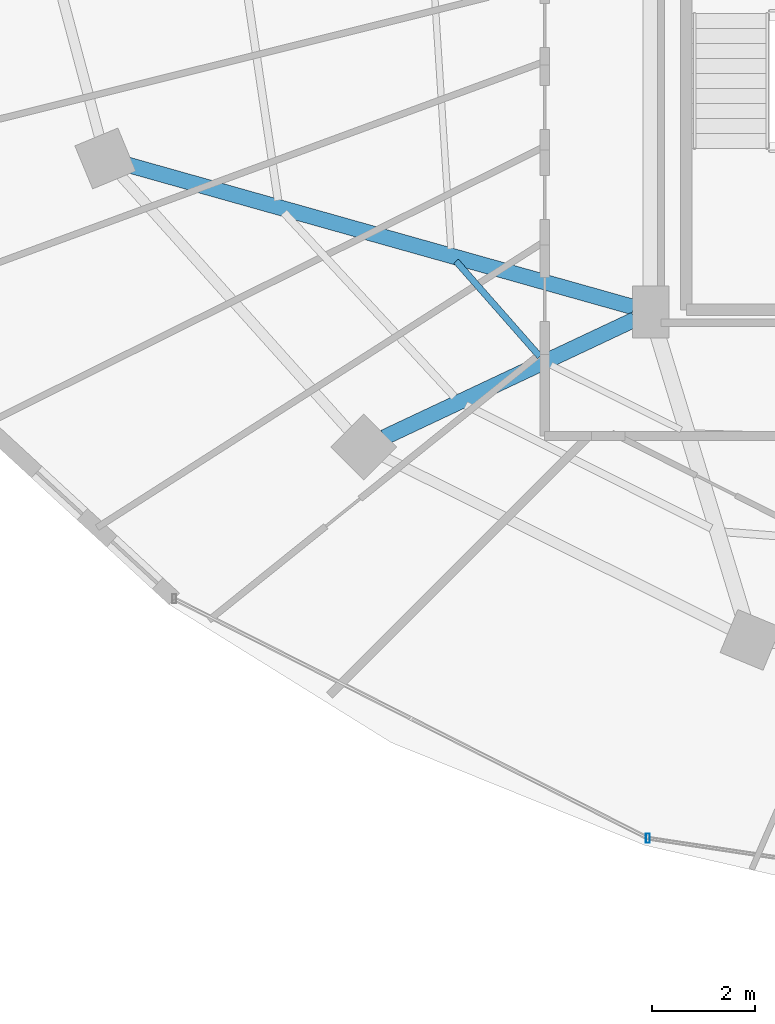
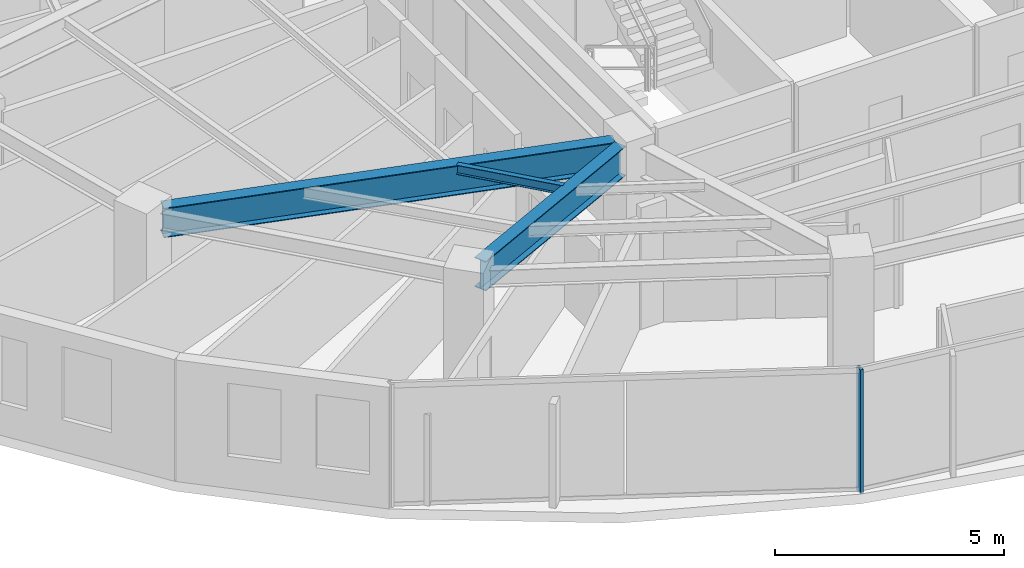
# One storey, part 3 of 33: 3 beams, 1 member, 1 element without a shape of its own.
"""IFC4 building model written with IfcOpenShell, lengths in metres."""

from ifc_helpers import new_model, si_unit, direction, frame, origin, origin_2d, place, context, subcontext, project, spatial, hollow_rectangle, i_section, extrude, material, material_profile, profile_set, type_object, element, aggregate, save


model = new_model("IFC4")

# Units and contexts
model_context = context("Model", 3, precision=1e-05, world=origin(), true_north=direction((0.0, 1.0)))
body_context = subcontext(model_context, "Body", "Model", "MODEL_VIEW")
ifc_project = project(units=[si_unit("LENGTHUNIT", "METRE"), si_unit("AREAUNIT", "SQUARE_METRE"), si_unit("VOLUMEUNIT", "CUBIC_METRE"), si_unit("PLANEANGLEUNIT", "RADIAN"), si_unit("MASSUNIT", "GRAM", prefix="KILO")], contexts=[model_context])

# Site, building, storey
site_placement = place(None, origin())
site = spatial("IfcSite", under=ifc_project, at=site_placement, CompositionType="ELEMENT")
building_placement = place(site_placement, origin())
building = spatial("IfcBuilding", under=site, at=building_placement, Name="Vorneva Point Tower", CompositionType="ELEMENT")
storey_placement = place(building_placement, frame((0.0, 0.0, 196.60009765625)))
storey = spatial("IfcBuildingStorey", under=building, at=storey_placement, Name="L53", CompositionType="ELEMENT", Elevation=196.60009765625)

# Beams
ifc_material_1 = material(Name="Steel S355", Category="steel")
ifc_material_profile_1 = material_profile(ifc_material_1, i_section(OverallWidth=0.300048828125, OverallDepth=0.7880859375, WebThickness=0.014404296875, FlangeThickness=0.02197265625, at=origin_2d()), Name="80Sh1")
ifc_profile_set_1 = profile_set([ifc_material_profile_1], Name="Steel S355")
beam_type_1 = type_object("IfcBeamType", Name="BM-GRD-80Sh1", PredefinedType="USERDEFINED", material=ifc_profile_set_1)
beam_1_placement = place(storey_placement, frame((17.126220703125, 19.299072265625, 2.845947265625), z_axis=(0.962603641144, -0.270913694847, 0.0), x_axis=(0.270913694847, 0.962603641144, 0.0)))
element("IfcBeam", 1, at=beam_1_placement, inside=storey, type_object=beam_type_1, Name="L53 Radial Primary Girder 10", ObjectType="GIRDER", PredefinedType="USERDEFINED", context=body_context, shape_type="SweptSolid", body=[
    extrude(i_section(OverallWidth=0.300048828125, OverallDepth=0.7880859375, WebThickness=0.014404296875, FlangeThickness=0.02197265625, at=origin_2d()), origin(), (0.0, 0.0, 1.0), 10.177001953125),
])
beam_2_placement = place(storey_placement, frame((22.097412109375, 14.0244140625, 2.845947265625), z_axis=(0.904762899762, 0.42591559635, 0.0), x_axis=(-0.42591559635, 0.904762899762, 0.0)))
element("IfcBeam", 2, at=beam_2_placement, inside=storey, type_object=beam_type_1, Name="L53 Radial Primary Girder 11", ObjectType="GIRDER", PredefinedType="USERDEFINED", context=body_context, shape_type="SweptSolid", body=[
    extrude(i_section(OverallWidth=0.300048828125, OverallDepth=0.7880859375, WebThickness=0.014404296875, FlangeThickness=0.02197265625, at=origin_2d()), origin(), (0.0, 0.0, 1.0), 5.35498046875),
])
ifc_material_profile_2 = material_profile(ifc_material_1, i_section(OverallWidth=0.1240234375, OverallDepth=0.248046875, WebThickness=0.0048828125, FlangeThickness=0.008056640625, at=origin_2d()), Name="25B1")
ifc_profile_set_2 = profile_set([ifc_material_profile_2], Name="Steel S355")
beam_type_2 = type_object("IfcBeamType", Name="BM-JST-25B1", PredefinedType="JOIST", material=ifc_profile_set_2)
beam_3_placement = place(storey_placement, frame((23.487060546875, 17.430908203125, 3.115966796875), z_axis=(0.660228577695, -0.7510647277, 0.0), x_axis=(0.7510647277, 0.660228577695, 0.0)))
element("IfcBeam", 3, at=beam_3_placement, inside=storey, type_object=beam_type_2, Name="L53 Secondary Floor Beam 2.10", PredefinedType="JOIST", context=body_context, shape_type="SweptSolid", body=[
    extrude(i_section(OverallWidth=0.1240234375, OverallDepth=0.248046875, WebThickness=0.0048828125, FlangeThickness=0.008056640625, at=origin_2d()), origin(), (0.0, 0.0, 1.0), 2.453857421875),
])

# Curtain wall, member
ifc_material_2 = material(Name="Pale anodised aluminium", Category="aluminium")
curtain_wall_type = type_object("IfcCurtainWallType", Name="CW-RES-SYS", PredefinedType="NOTDEFINED", material=ifc_material_2)
curtain_wall_placement = place(storey_placement, origin())
curtain_wall = element("IfcCurtainWall", 4, at=curtain_wall_placement, inside=storey, type_object=curtain_wall_type, Name="L53 Unitised Curtain Wall CW-L53-R04", PredefinedType="NOTDEFINED")
ifc_material_profile_3 = material_profile(ifc_material_2, hollow_rectangle(XDim=0.074951171875, YDim=0.179931640625, WallThickness=0.00390625, at=origin_2d()), Name="AL-MUL 180x75x4")
ifc_profile_set_3 = profile_set([ifc_material_profile_3], Name="Pale anodised aluminium")
member_type = type_object("IfcMemberType", Name="CW-MUL-180", PredefinedType="MULLION", material=ifc_profile_set_3)
member_placement = place(storey_placement, frame((27.19677734375, 6.275146484375, -0.0400390625), z_axis=(0.0, 0.0, 1.0), x_axis=(1.0, 0.0, 0.0)))
member = element("IfcMember", 5, at=member_placement, type_object=member_type, Name="CW-L53-R04 Mullion 02", PredefinedType="MULLION", context=body_context, shape_type="SweptSolid", body=[
    extrude(hollow_rectangle(XDim=0.074951171875, YDim=0.179931640625, WallThickness=0.00390625, at=origin_2d()), origin(), (0.0, 0.0, 1.0), 3.31005859375),
])
aggregate(curtain_wall, [member])

save(model, "model.ifc")
